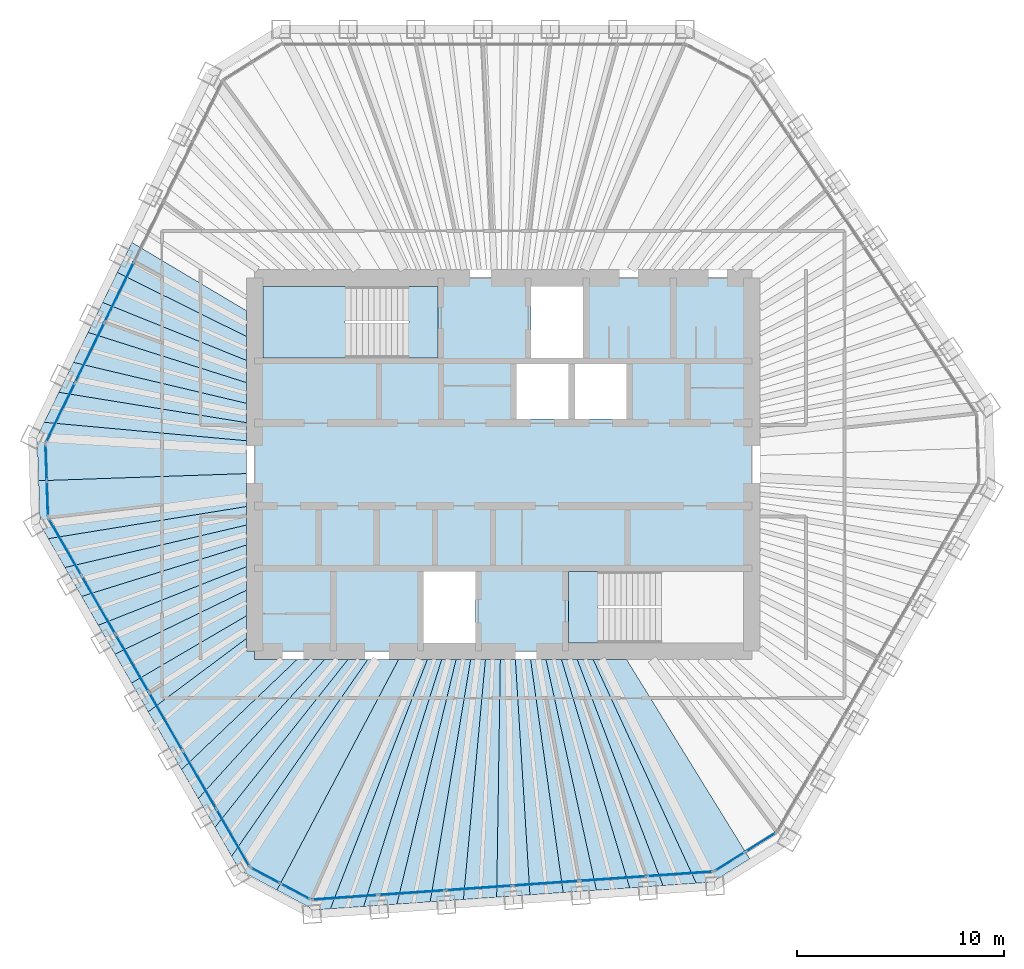
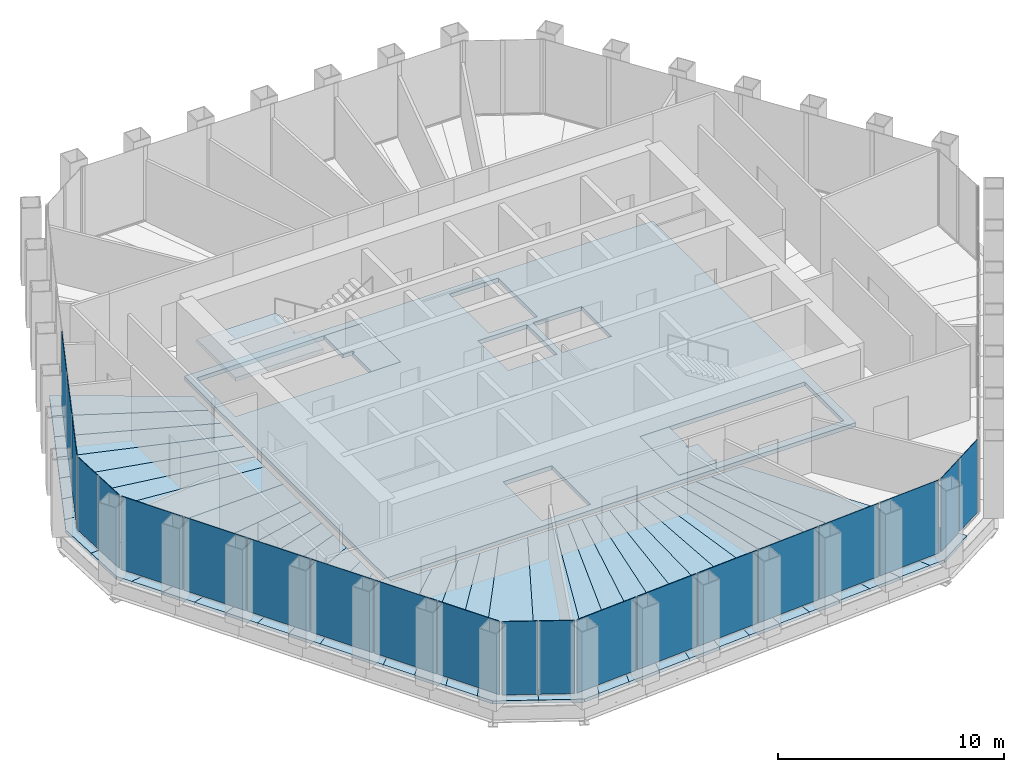
# One storey, part 9 of 15: 36 slabs, 21 plates, 8 elements without a shape of their own.
"""IFC4 building model written with IfcOpenShell, lengths in metres."""

from ifc_helpers import new_model, si_unit, direction, frame, origin, origin_2d, place, context, subcontext, project, spatial, polyline, rectangle, outline, extrude, material, layer, layer_set, type_object, element, aggregate, save


model = new_model("IFC4")

# Units and contexts
model_context = context("Model", 3, precision=1e-05, world=origin(), true_north=direction((0.0, 1.0)))
body_context = subcontext(model_context, "Body", "Model", "MODEL_VIEW")
ifc_project = project(units=[si_unit("LENGTHUNIT", "METRE"), si_unit("AREAUNIT", "SQUARE_METRE"), si_unit("VOLUMEUNIT", "CUBIC_METRE"), si_unit("PLANEANGLEUNIT", "RADIAN"), si_unit("MASSUNIT", "GRAM", prefix="KILO")], contexts=[model_context])

# Site, building, storey
site_placement = place(None, origin())
site = spatial("IfcSite", under=ifc_project, at=site_placement, CompositionType="ELEMENT")
building_placement = place(site_placement, origin())
building = spatial("IfcBuilding", under=site, at=building_placement, Name="Qingtian Harvest Tower", CompositionType="ELEMENT")
storey_placement = place(building_placement, frame((0.0, 0.0, 312.39990234375)))
storey = spatial("IfcBuildingStorey", under=building, at=storey_placement, Name="L69", CompositionType="ELEMENT", Elevation=312.39990234375)

# Slabs
ifc_material_1 = material(Name="Concrete fc' 35 MPa", Category="concrete")
ifc_layer_1 = layer(ifc_material_1, 0.169921875)
ifc_layer_set_1 = layer_set([ifc_layer_1], Name="Composite floor slab FS17 170")
slab_type_1 = type_object("IfcSlabType", Name="Composite floor slab FS17 170", PredefinedType="FLOOR", material=ifc_layer_set_1)
slab_1_placement = place(storey_placement, frame((0.0, 0.0, -0.169921875)))
element("IfcSlab", 1, at=slab_1_placement, inside=storey, type_object=slab_type_1, Name="Floor slab L69 panel D01", PredefinedType="FLOOR", context=body_context, shape_type="SweptSolid", body=[
    extrude(outline(polyline([(-22.422607421875, -0.783203125), (-12.39990234375, -0.436767578125), (-12.39990234375, -2.028564453125), (-21.95751953125, -3.578369140625), (-22.348876953125, -2.90087890625), (-22.422607421875, -0.783203125)])), origin(), (0.0, 0.0, 1.0), 0.169921875),
])
slab_2_placement = place(storey_placement, frame((0.0, 0.0, -0.169921875)))
element("IfcSlab", 2, at=slab_2_placement, inside=storey, type_object=slab_type_1, Name="Floor slab L69 panel D02", PredefinedType="FLOOR", context=body_context, shape_type="SweptSolid", body=[
    extrude(outline(polyline([(-12.39990234375, -2.923095703125), (-21.153076171875, -4.9716796875), (-21.95751953125, -3.578369140625), (-12.39990234375, -2.028564453125), (-12.39990234375, -2.923095703125)])), origin(), (0.0, 0.0, 1.0), 0.169921875),
])
slab_3_placement = place(storey_placement, frame((0.0, 0.0, -0.169921875)))
element("IfcSlab", 3, at=slab_3_placement, inside=storey, type_object=slab_type_1, Name="Floor slab L69 panel D03", PredefinedType="FLOOR", context=body_context, shape_type="SweptSolid", body=[
    extrude(outline(polyline([(-12.39990234375, -3.888427734375), (-20.3486328125, -6.365234375), (-21.153076171875, -4.9716796875), (-12.39990234375, -2.923095703125), (-12.39990234375, -3.888427734375)])), origin(), (0.0, 0.0, 1.0), 0.169921875),
])
slab_4_placement = place(storey_placement, frame((0.0, 0.0, -0.169921875)))
element("IfcSlab", 4, at=slab_4_placement, inside=storey, type_object=slab_type_1, Name="Floor slab L69 panel D04", PredefinedType="FLOOR", context=body_context, shape_type="SweptSolid", body=[
    extrude(outline(polyline([(-12.39990234375, -4.93359375), (-19.544189453125, -7.758544921875), (-20.3486328125, -6.365234375), (-12.39990234375, -3.888427734375), (-12.39990234375, -4.93359375)])), origin(), (0.0, 0.0, 1.0), 0.169921875),
])
slab_5_placement = place(storey_placement, frame((0.0, 0.0, -0.169921875)))
element("IfcSlab", 5, at=slab_5_placement, inside=storey, type_object=slab_type_1, Name="Floor slab L69 panel D05", PredefinedType="FLOOR", context=body_context, shape_type="SweptSolid", body=[
    extrude(outline(polyline([(-12.39990234375, -6.068359375), (-18.73974609375, -9.15185546875), (-19.544189453125, -7.758544921875), (-12.39990234375, -4.93359375), (-12.39990234375, -6.068359375)])), origin(), (0.0, 0.0, 1.0), 0.169921875),
])
slab_6_placement = place(storey_placement, frame((0.0, 0.0, -0.169921875)))
element("IfcSlab", 6, at=slab_6_placement, inside=storey, type_object=slab_type_1, Name="Floor slab L69 panel D06", PredefinedType="FLOOR", context=body_context, shape_type="SweptSolid", body=[
    extrude(outline(polyline([(-12.39990234375, -7.304931640625), (-17.93505859375, -10.54541015625), (-18.73974609375, -9.15185546875), (-12.39990234375, -6.068359375), (-12.39990234375, -7.304931640625)])), origin(), (0.0, 0.0, 1.0), 0.169921875),
])
slab_7_placement = place(storey_placement, frame((0.0, 0.0, -0.169921875)))
element("IfcSlab", 7, at=slab_7_placement, inside=storey, type_object=slab_type_1, Name="Floor slab L69 panel D07", PredefinedType="FLOOR", context=body_context, shape_type="SweptSolid", body=[
    extrude(outline(polyline([(-12.39990234375, -8.400390625), (-17.134033203125, -11.932861328125), (-17.93505859375, -10.54541015625), (-12.39990234375, -7.304931640625), (-12.39990234375, -8.400390625)])), origin(), (0.0, 0.0, 1.0), 0.169921875),
])
slab_8_placement = place(storey_placement, frame((0.0, 0.0, -0.169921875)))
element("IfcSlab", 8, at=slab_8_placement, inside=storey, type_object=slab_type_1, Name="Floor slab L69 panel D09", PredefinedType="FLOOR", context=body_context, shape_type="SweptSolid", body=[
    extrude(outline(polyline([(-15.522216796875, -14.724609375), (-17.134033203125, -11.932861328125), (-12.39990234375, -8.400390625), (-12.39990234375, -9.0), (-12.0, -9.0), (-12.0, -9.39990234375), (-9.943115234375, -9.39990234375), (-15.522216796875, -14.724609375)])), origin(), (0.0, 0.0, 1.0), 0.169921875),
])
slab_9_placement = place(storey_placement, frame((0.0, 0.0, -0.169921875)))
element("IfcSlab", 9, at=slab_9_placement, inside=storey, type_object=slab_type_1, Name="Floor slab L69 panel D10", PredefinedType="FLOOR", context=body_context, shape_type="SweptSolid", body=[
    extrude(outline(polyline([(-8.609130859375, -9.39990234375), (-14.7177734375, -16.1181640625), (-15.522216796875, -14.724609375), (-9.943115234375, -9.39990234375), (-8.609130859375, -9.39990234375)])), origin(), (0.0, 0.0, 1.0), 0.169921875),
])
slab_10_placement = place(storey_placement, frame((0.0, 0.0, -0.169921875)))
element("IfcSlab", 10, at=slab_10_placement, inside=storey, type_object=slab_type_1, Name="Floor slab L69 panel D11", PredefinedType="FLOOR", context=body_context, shape_type="SweptSolid", body=[
    extrude(outline(polyline([(-7.488525390625, -9.39990234375), (-13.9130859375, -17.51171875), (-14.7177734375, -16.1181640625), (-8.609130859375, -9.39990234375), (-7.488525390625, -9.39990234375)])), origin(), (0.0, 0.0, 1.0), 0.169921875),
])
slab_11_placement = place(storey_placement, frame((0.0, 0.0, -0.169921875)))
element("IfcSlab", 11, at=slab_11_placement, inside=storey, type_object=slab_type_1, Name="Floor slab L69 panel D12", PredefinedType="FLOOR", context=body_context, shape_type="SweptSolid", body=[
    extrude(outline(polyline([(-6.533935546875, -9.39990234375), (-13.108642578125, -18.905029296875), (-13.9130859375, -17.51171875), (-7.488525390625, -9.39990234375), (-6.533935546875, -9.39990234375)])), origin(), (0.0, 0.0, 1.0), 0.169921875),
])
slab_12_placement = place(storey_placement, frame((0.0, 0.0, -0.169921875)))
element("IfcSlab", 12, at=slab_12_placement, inside=storey, type_object=slab_type_1, Name="Floor slab L69 panel D13", PredefinedType="FLOOR", context=body_context, shape_type="SweptSolid", body=[
    extrude(outline(polyline([(-6.533935546875, -9.39990234375), (-5.04638671875, -9.39990234375), (-10.921142578125, -20.537841796875), (-12.717529296875, -19.582763671875), (-13.108642578125, -18.905029296875), (-6.533935546875, -9.39990234375)])), origin(), (0.0, 0.0, 1.0), 0.169921875),
])
slab_13_placement = place(storey_placement, frame((0.0, 0.0, -0.169921875)))
element("IfcSlab", 13, at=slab_13_placement, inside=storey, type_object=slab_type_1, Name="Floor slab L69 panel D14", PredefinedType="FLOOR", context=body_context, shape_type="SweptSolid", body=[
    extrude(outline(polyline([(-5.04638671875, -9.39990234375), (-3.656982421875, -9.39990234375), (-8.343017578125, -21.439208984375), (-9.123291015625, -21.49365234375), (-10.921142578125, -20.537841796875), (-5.04638671875, -9.39990234375)])), origin(), (0.0, 0.0, 1.0), 0.169921875),
])
slab_14_placement = place(storey_placement, frame((0.0, 0.0, -0.169921875)))
element("IfcSlab", 14, at=slab_14_placement, inside=storey, type_object=slab_type_1, Name="Floor slab L69 panel D15", PredefinedType="FLOOR", context=body_context, shape_type="SweptSolid", body=[
    extrude(outline(polyline([(-2.968994140625, -9.39990234375), (-6.738037109375, -21.326904296875), (-8.343017578125, -21.439208984375), (-3.656982421875, -9.39990234375), (-2.968994140625, -9.39990234375)])), origin(), (0.0, 0.0, 1.0), 0.169921875),
])
slab_15_placement = place(storey_placement, frame((0.0, 0.0, -0.169921875)))
element("IfcSlab", 15, at=slab_15_placement, inside=storey, type_object=slab_type_1, Name="Floor slab L69 panel D16", PredefinedType="FLOOR", context=body_context, shape_type="SweptSolid", body=[
    extrude(outline(polyline([(-2.2734375, -9.39990234375), (-5.133056640625, -21.21484375), (-6.738037109375, -21.326904296875), (-2.968994140625, -9.39990234375), (-2.2734375, -9.39990234375)])), origin(), (0.0, 0.0, 1.0), 0.169921875),
])
slab_16_placement = place(storey_placement, frame((0.0, 0.0, -0.169921875)))
element("IfcSlab", 16, at=slab_16_placement, inside=storey, type_object=slab_type_1, Name="Floor slab L69 panel D17", PredefinedType="FLOOR", context=body_context, shape_type="SweptSolid", body=[
    extrude(outline(polyline([(-1.570556640625, -9.39990234375), (-3.528076171875, -21.1025390625), (-5.133056640625, -21.21484375), (-2.2734375, -9.39990234375), (-1.570556640625, -9.39990234375)])), origin(), (0.0, 0.0, 1.0), 0.169921875),
])
slab_17_placement = place(storey_placement, frame((0.0, 0.0, -0.169921875)))
element("IfcSlab", 17, at=slab_17_placement, inside=storey, type_object=slab_type_1, Name="Floor slab L69 panel D18", PredefinedType="FLOOR", context=body_context, shape_type="SweptSolid", body=[
    extrude(outline(polyline([(-0.860107421875, -9.39990234375), (-1.9228515625, -20.990234375), (-3.528076171875, -21.1025390625), (-1.570556640625, -9.39990234375), (-0.860107421875, -9.39990234375)])), origin(), (0.0, 0.0, 1.0), 0.169921875),
])
slab_18_placement = place(storey_placement, frame((0.0, 0.0, -0.169921875)))
element("IfcSlab", 18, at=slab_18_placement, inside=storey, type_object=slab_type_1, Name="Floor slab L69 panel D19", PredefinedType="FLOOR", context=body_context, shape_type="SweptSolid", body=[
    extrude(outline(polyline([(-0.14208984375, -9.39990234375), (-0.31787109375, -20.8779296875), (-1.9228515625, -20.990234375), (-0.860107421875, -9.39990234375), (-0.14208984375, -9.39990234375)])), origin(), (0.0, 0.0, 1.0), 0.169921875),
])
slab_19_placement = place(storey_placement, frame((0.0, 0.0, -0.169921875)))
element("IfcSlab", 19, at=slab_19_placement, inside=storey, type_object=slab_type_1, Name="Floor slab L69 panel D20", PredefinedType="FLOOR", context=body_context, shape_type="SweptSolid", body=[
    extrude(outline(polyline([(0.58349609375, -9.39990234375), (1.287109375, -20.765869140625), (-0.31787109375, -20.8779296875), (-0.14208984375, -9.39990234375), (0.58349609375, -9.39990234375)])), origin(), (0.0, 0.0, 1.0), 0.169921875),
])
slab_20_placement = place(storey_placement, frame((0.0, 0.0, -0.169921875)))
element("IfcSlab", 20, at=slab_20_placement, inside=storey, type_object=slab_type_1, Name="Floor slab L69 panel D21", PredefinedType="FLOOR", context=body_context, shape_type="SweptSolid", body=[
    extrude(outline(polyline([(1.3173828125, -9.39990234375), (2.89208984375, -20.653564453125), (1.287109375, -20.765869140625), (0.58349609375, -9.39990234375), (1.3173828125, -9.39990234375)])), origin(), (0.0, 0.0, 1.0), 0.169921875),
])
slab_21_placement = place(storey_placement, frame((0.0, 0.0, -0.169921875)))
element("IfcSlab", 21, at=slab_21_placement, inside=storey, type_object=slab_type_1, Name="Floor slab L69 panel D22", PredefinedType="FLOOR", context=body_context, shape_type="SweptSolid", body=[
    extrude(outline(polyline([(2.058837890625, -9.39990234375), (4.4970703125, -20.541259765625), (2.89208984375, -20.653564453125), (1.3173828125, -9.39990234375), (2.058837890625, -9.39990234375)])), origin(), (0.0, 0.0, 1.0), 0.169921875),
])
slab_22_placement = place(storey_placement, frame((0.0, 0.0, -0.169921875)))
element("IfcSlab", 22, at=slab_22_placement, inside=storey, type_object=slab_type_1, Name="Floor slab L69 panel D23", PredefinedType="FLOOR", context=body_context, shape_type="SweptSolid", body=[
    extrude(outline(polyline([(2.808837890625, -9.39990234375), (6.10205078125, -20.42919921875), (4.4970703125, -20.541259765625), (2.058837890625, -9.39990234375), (2.808837890625, -9.39990234375)])), origin(), (0.0, 0.0, 1.0), 0.169921875),
])
slab_23_placement = place(storey_placement, frame((0.0, 0.0, -0.169921875)))
element("IfcSlab", 23, at=slab_23_placement, inside=storey, type_object=slab_type_1, Name="Floor slab L69 panel D24", PredefinedType="FLOOR", context=body_context, shape_type="SweptSolid", body=[
    extrude(outline(polyline([(3.56689453125, -9.39990234375), (7.70703125, -20.31689453125), (6.10205078125, -20.42919921875), (2.808837890625, -9.39990234375), (3.56689453125, -9.39990234375)])), origin(), (0.0, 0.0, 1.0), 0.169921875),
])
slab_24_placement = place(storey_placement, frame((0.0, 0.0, -0.169921875)))
element("IfcSlab", 24, at=slab_24_placement, inside=storey, type_object=slab_type_1, Name="Floor slab L69 panel D25", PredefinedType="FLOOR", context=body_context, shape_type="SweptSolid", body=[
    extrude(outline(polyline([(4.33349609375, -9.39990234375), (9.312255859375, -20.20458984375), (7.70703125, -20.31689453125), (3.56689453125, -9.39990234375), (4.33349609375, -9.39990234375)])), origin(), (0.0, 0.0, 1.0), 0.169921875),
])
slab_25_placement = place(storey_placement, frame((0.0, 0.0, -0.169921875)))
element("IfcSlab", 25, at=slab_25_placement, inside=storey, type_object=slab_type_1, Name="Floor slab L69 panel D26", PredefinedType="FLOOR", context=body_context, shape_type="SweptSolid", body=[
    extrude(outline(polyline([(4.33349609375, -9.39990234375), (5.945556640625, -9.39990234375), (11.890380859375, -19.026611328125), (10.09228515625, -20.150146484375), (9.312255859375, -20.20458984375), (4.33349609375, -9.39990234375)])), origin(), (0.0, 0.0, 1.0), 0.169921875),
])
slab_26_placement = place(storey_placement, frame((0.0, 0.0, -0.169921875)))
element("IfcSlab", 26, at=slab_26_placement, inside=storey, type_object=slab_type_1, Name="Floor slab L69 panel D72", PredefinedType="FLOOR", context=body_context, shape_type="SweptSolid", body=[
    extrude(outline(polyline([(-12.39990234375, 6.18115234375), (-18.627197265625, 9.2685546875), (-17.921875, 10.714599609375), (-12.39990234375, 7.42578125), (-12.39990234375, 6.18115234375)])), origin(), (0.0, 0.0, 1.0), 0.169921875),
])
slab_27_placement = place(storey_placement, frame((0.0, 0.0, -0.169921875)))
element("IfcSlab", 27, at=slab_27_placement, inside=storey, type_object=slab_type_1, Name="Floor slab L69 panel D73", PredefinedType="FLOOR", context=body_context, shape_type="SweptSolid", body=[
    extrude(outline(polyline([(-12.39990234375, 5.02734375), (-19.33251953125, 7.822509765625), (-18.627197265625, 9.2685546875), (-12.39990234375, 6.18115234375), (-12.39990234375, 5.02734375)])), origin(), (0.0, 0.0, 1.0), 0.169921875),
])
slab_28_placement = place(storey_placement, frame((0.0, 0.0, -0.169921875)))
element("IfcSlab", 28, at=slab_28_placement, inside=storey, type_object=slab_type_1, Name="Floor slab L69 panel D74", PredefinedType="FLOOR", context=body_context, shape_type="SweptSolid", body=[
    extrude(outline(polyline([(-12.39990234375, 3.954833984375), (-20.037841796875, 6.376220703125), (-19.33251953125, 7.822509765625), (-12.39990234375, 5.02734375), (-12.39990234375, 3.954833984375)])), origin(), (0.0, 0.0, 1.0), 0.169921875),
])
slab_29_placement = place(storey_placement, frame((0.0, 0.0, -0.169921875)))
element("IfcSlab", 29, at=slab_29_placement, inside=storey, type_object=slab_type_1, Name="Floor slab L69 panel D75", PredefinedType="FLOOR", context=body_context, shape_type="SweptSolid", body=[
    extrude(outline(polyline([(-12.39990234375, 2.955322265625), (-20.7431640625, 4.93017578125), (-20.037841796875, 6.376220703125), (-12.39990234375, 3.954833984375), (-12.39990234375, 2.955322265625)])), origin(), (0.0, 0.0, 1.0), 0.169921875),
])
slab_30_placement = place(storey_placement, frame((0.0, 0.0, -0.169921875)))
element("IfcSlab", 30, at=slab_30_placement, inside=storey, type_object=slab_type_1, Name="Floor slab L69 panel D76", PredefinedType="FLOOR", context=body_context, shape_type="SweptSolid", body=[
    extrude(outline(polyline([(-12.39990234375, 2.021484375), (-21.448486328125, 3.484130859375), (-20.7431640625, 4.93017578125), (-12.39990234375, 2.955322265625), (-12.39990234375, 2.021484375)])), origin(), (0.0, 0.0, 1.0), 0.169921875),
])
slab_31_placement = place(storey_placement, frame((0.0, 0.0, -0.169921875)))
element("IfcSlab", 31, at=slab_31_placement, inside=storey, type_object=slab_type_1, Name="Floor slab L69 panel D77", PredefinedType="FLOOR", context=body_context, shape_type="SweptSolid", body=[
    extrude(outline(polyline([(-12.39990234375, 1.147216796875), (-22.15380859375, 2.037841796875), (-21.448486328125, 3.484130859375), (-12.39990234375, 2.021484375), (-12.39990234375, 1.147216796875)])), origin(), (0.0, 0.0, 1.0), 0.169921875),
])
slab_32_placement = place(storey_placement, frame((0.0, 0.0, -0.169921875)))
element("IfcSlab", 32, at=slab_32_placement, inside=storey, type_object=slab_type_1, Name="Floor slab L69 panel D78", PredefinedType="FLOOR", context=body_context, shape_type="SweptSolid", body=[
    extrude(outline(polyline([(-12.39990234375, 1.147216796875), (-12.39990234375, -0.436767578125), (-22.422607421875, -0.783203125), (-22.49658203125, 1.334716796875), (-22.15380859375, 2.037841796875), (-12.39990234375, 1.147216796875)])), origin(), (0.0, 0.0, 1.0), 0.169921875),
])
ifc_material_2 = material(Name="Concrete fc' 35 MPa", Category="concrete")
ifc_layer_2 = layer(ifc_material_2, 0.219970703125)
ifc_layer_set_2 = layer_set([ifc_layer_2], Name="Core floor slab CS22 220")
slab_type_2 = type_object("IfcSlabType", Name="Core floor slab CS22 220", PredefinedType="FLOOR", material=ifc_layer_set_2)
slab_33_placement = place(storey_placement, frame((0.0, 0.0, -0.219970703125)))
element("IfcSlab", 33, at=slab_33_placement, inside=storey, type_object=slab_type_2, Name="Core floor slab L69", PredefinedType="FLOOR", context=body_context, shape_type="SweptSolid", body=[
    extrude(outline(polyline([(-12.0, -9.0), (12.0, -9.0), (12.0, 9.0), (-12.0, 9.0), (-12.0, -9.0)]), holes=[polyline([(-11.60009765625, 5.14990234375), (-3.14990234375, 5.14990234375), (-3.14990234375, 8.60009765625), (-11.60009765625, 8.60009765625), (-11.60009765625, 5.14990234375)]), polyline([(3.14990234375, -8.60009765625), (11.60009765625, -8.60009765625), (11.60009765625, -5.14990234375), (3.14990234375, -5.14990234375), (3.14990234375, -8.60009765625)]), polyline([(1.35009765625, 5.14990234375), (3.85009765625, 5.14990234375), (3.85009765625, 8.60009765625), (1.35009765625, 8.60009765625), (1.35009765625, 5.14990234375)]), polyline([(-3.85009765625, -8.60009765625), (-1.35009765625, -8.60009765625), (-1.35009765625, -5.14990234375), (-3.85009765625, -5.14990234375), (-3.85009765625, -8.60009765625)]), polyline([(0.64990234375, 2.199951171875), (3.14990234375, 2.199951171875), (3.14990234375, 4.85009765625), (0.64990234375, 4.85009765625), (0.64990234375, 2.199951171875)]), polyline([(3.449951171875, 2.199951171875), (5.949951171875, 2.199951171875), (5.949951171875, 4.85009765625), (3.449951171875, 4.85009765625), (3.449951171875, 2.199951171875)])]), origin(), (0.0, 0.0, 1.0), 0.219970703125),
])

# Curtain wall, plates
ifc_material_3 = material(Name="Bronze-anodised aluminium curtain wall", Category="aluminium")
curtain_wall_type = type_object("IfcCurtainWallType", Name="Curtain wall CW5 upper office", PredefinedType="USERDEFINED", material=ifc_material_3)
curtain_wall_1_placement = place(storey_placement, origin())
curtain_wall_1 = element("IfcCurtainWall", 34, at=curtain_wall_1_placement, inside=storey, type_object=curtain_wall_type, Name="Curtain wall CW5 L69 SEC", ObjectType="RECESSED CURTAIN WALL", PredefinedType="USERDEFINED")
ifc_material_4 = material(Name="Bronze-tinted laminated insulating glass", Category="glass")
ifc_layer_3 = layer(ifc_material_4, 0.030029296875)
ifc_layer_set_3 = layer_set([ifc_layer_3], Name="Glazed panel CWP tinted IGU")
plate_type = type_object("IfcPlateType", Name="Glazed panel CWP tinted IGU", PredefinedType="CURTAIN_PANEL", material=ifc_layer_set_3)
plate_1_placement = place(storey_placement, frame((12.42431640625, -18.224609375, 0.06494140625), z_axis=(0.0, 0.0, 1.0), x_axis=(-0.848048096156, -0.529919264233, 0.0)))
plate_1 = element("IfcPlate", 35, at=plate_1_placement, type_object=plate_type, Name="CW5 panel 1.1", PredefinedType="CURTAIN_PANEL", context=body_context, shape_type="SweptSolid", body=[
    extrude(rectangle(XDim=1.69287109375, YDim=0.030029296875, at=origin_2d()), origin(), (0.0, 0.0, 1.0), 3.965087890625),
])
plate_2_placement = place(storey_placement, frame((10.93359375, -19.156005859375, 0.06494140625), z_axis=(0.0, 0.0, 1.0), x_axis=(-0.848048096156, -0.529919264233, 0.0)))
plate_2 = element("IfcPlate", 36, at=plate_2_placement, type_object=plate_type, Name="CW5 panel 2.1", PredefinedType="CURTAIN_PANEL", context=body_context, shape_type="SweptSolid", body=[
    extrude(rectangle(XDim=1.69287109375, YDim=0.030029296875, at=origin_2d()), origin(), (0.0, 0.0, 1.0), 3.965087890625),
])
aggregate(curtain_wall_1, [plate_1, plate_2])

curtain_wall_2_placement = place(storey_placement, origin())
curtain_wall_2 = element("IfcCurtainWall", 37, at=curtain_wall_2_placement, inside=storey, type_object=curtain_wall_type, Name="Curtain wall CW5 L69 S0-5", ObjectType="RECESSED CURTAIN WALL", PredefinedType="USERDEFINED")
plate_3_placement = place(storey_placement, frame((8.5244140625, -19.75341796875, 0.06494140625), z_axis=(0.0, 0.0, 1.0), x_axis=(-0.99756405026, -0.069756473744, 0.0)))
plate_3 = element("IfcPlate", 38, at=plate_3_placement, type_object=plate_type, Name="CW5 panel 1.1", PredefinedType="CURTAIN_PANEL", context=body_context, shape_type="SweptSolid", body=[
    extrude(rectangle(XDim=3.150634765625, YDim=0.030029296875, at=origin_2d()), origin(), (0.0, 0.0, 1.0), 3.965087890625),
])
plate_4_placement = place(storey_placement, frame((5.300537109375, -19.97900390625, 0.06494140625), z_axis=(0.0, 0.0, 1.0), x_axis=(-0.99756405026, -0.069756473744, 0.0)))
plate_4 = element("IfcPlate", 39, at=plate_4_placement, type_object=plate_type, Name="CW5 panel 2.1", PredefinedType="CURTAIN_PANEL", context=body_context, shape_type="SweptSolid", body=[
    extrude(rectangle(XDim=3.18310546875, YDim=0.030029296875, at=origin_2d()), origin(), (0.0, 0.0, 1.0), 3.965087890625),
])
plate_5_placement = place(storey_placement, frame((2.060302734375, -20.20556640625, 0.06494140625), z_axis=(0.0, 0.0, 1.0), x_axis=(-0.99756405026, -0.069756473744, 0.0)))
plate_5 = element("IfcPlate", 40, at=plate_5_placement, type_object=plate_type, Name="CW5 panel 3.1", PredefinedType="CURTAIN_PANEL", context=body_context, shape_type="SweptSolid", body=[
    extrude(rectangle(XDim=3.18310546875, YDim=0.030029296875, at=origin_2d()), origin(), (0.0, 0.0, 1.0), 3.965087890625),
])
plate_6_placement = place(storey_placement, frame((-1.1796875, -20.43212890625, 0.06494140625), z_axis=(0.0, 0.0, 1.0), x_axis=(-0.99756405026, -0.069756473744, 0.0)))
plate_6 = element("IfcPlate", 41, at=plate_6_placement, type_object=plate_type, Name="CW5 panel 4.1", PredefinedType="CURTAIN_PANEL", context=body_context, shape_type="SweptSolid", body=[
    extrude(rectangle(XDim=3.18310546875, YDim=0.030029296875, at=origin_2d()), origin(), (0.0, 0.0, 1.0), 3.965087890625),
])
plate_7_placement = place(storey_placement, frame((-4.419921875, -20.65869140625, 0.06494140625), z_axis=(0.0, 0.0, 1.0), x_axis=(-0.99756405026, -0.069756473744, 0.0)))
plate_7 = element("IfcPlate", 42, at=plate_7_placement, type_object=plate_type, Name="CW5 panel 5.1", PredefinedType="CURTAIN_PANEL", context=body_context, shape_type="SweptSolid", body=[
    extrude(rectangle(XDim=3.18310546875, YDim=0.030029296875, at=origin_2d()), origin(), (0.0, 0.0, 1.0), 3.965087890625),
])
plate_8_placement = place(storey_placement, frame((-7.643798828125, -20.884033203125, 0.06494140625), z_axis=(0.0, 0.0, 1.0), x_axis=(-0.99756405026, -0.069756473744, 0.0)))
plate_8 = element("IfcPlate", 43, at=plate_8_placement, type_object=plate_type, Name="CW5 panel 6.1", PredefinedType="CURTAIN_PANEL", context=body_context, shape_type="SweptSolid", body=[
    extrude(rectangle(XDim=3.150634765625, YDim=0.030029296875, at=origin_2d()), origin(), (0.0, 0.0, 1.0), 3.965087890625),
])
aggregate(curtain_wall_2, [plate_3, plate_4, plate_5, plate_6, plate_7, plate_8])

curtain_wall_3_placement = place(storey_placement, origin())
curtain_wall_3 = element("IfcCurtainWall", 44, at=curtain_wall_3_placement, inside=storey, type_object=curtain_wall_type, Name="Curtain wall CW5 L69 SC", ObjectType="RECESSED CURTAIN WALL", PredefinedType="USERDEFINED")
plate_9_placement = place(storey_placement, frame((-10.029296875, -20.60009765625, 0.06494140625), z_axis=(0.0, 0.0, 1.0), x_axis=(-0.882947592859, 0.469471562786, 0.0)))
plate_9 = element("IfcPlate", 45, at=plate_9_placement, type_object=plate_type, Name="CW5 panel 1.1", PredefinedType="CURTAIN_PANEL", context=body_context, shape_type="SweptSolid", body=[
    extrude(rectangle(XDim=1.56689453125, YDim=0.030029296875, at=origin_2d()), origin(), (0.0, 0.0, 1.0), 3.965087890625),
])
plate_10_placement = place(storey_placement, frame((-11.469970703125, -19.833984375, 0.06494140625), z_axis=(0.0, 0.0, 1.0), x_axis=(-0.882947592859, 0.469471562786, 0.0)))
plate_10 = element("IfcPlate", 46, at=plate_10_placement, type_object=plate_type, Name="CW5 panel 2.1", PredefinedType="CURTAIN_PANEL", context=body_context, shape_type="SweptSolid", body=[
    extrude(rectangle(XDim=1.56689453125, YDim=0.030029296875, at=origin_2d()), origin(), (0.0, 0.0, 1.0), 3.965087890625),
])
aggregate(curtain_wall_3, [plate_9, plate_10])

curtain_wall_4_placement = place(storey_placement, origin())
curtain_wall_4 = element("IfcCurtainWall", 47, at=curtain_wall_4_placement, inside=storey, type_object=curtain_wall_type, Name="Curtain wall CW5 L69 SW0-5", ObjectType="RECESSED CURTAIN WALL", PredefinedType="USERDEFINED")
plate_11_placement = place(storey_placement, frame((-13.039306640625, -18.01513671875, 0.06494140625), z_axis=(0.0, 0.0, 1.0), x_axis=(-0.5, 0.866025403784, 0.0)))
plate_11 = element("IfcPlate", 48, at=plate_11_placement, type_object=plate_type, Name="CW5 panel 1.1", PredefinedType="CURTAIN_PANEL", context=body_context, shape_type="SweptSolid", body=[
    extrude(rectangle(XDim=3.150634765625, YDim=0.030029296875, at=origin_2d()), origin(), (0.0, 0.0, 1.0), 3.965087890625),
])
plate_12_placement = place(storey_placement, frame((-14.6552734375, -15.216552734375, 0.06494140625), z_axis=(0.0, 0.0, 1.0), x_axis=(-0.5, 0.866025403784, 0.0)))
plate_12 = element("IfcPlate", 49, at=plate_12_placement, type_object=plate_type, Name="CW5 panel 2.1", PredefinedType="CURTAIN_PANEL", context=body_context, shape_type="SweptSolid", body=[
    extrude(rectangle(XDim=3.18310546875, YDim=0.030029296875, at=origin_2d()), origin(), (0.0, 0.0, 1.0), 3.965087890625),
])
plate_13_placement = place(storey_placement, frame((-16.279296875, -12.403564453125, 0.06494140625), z_axis=(0.0, 0.0, 1.0), x_axis=(-0.5, 0.866025403784, 0.0)))
plate_13 = element("IfcPlate", 50, at=plate_13_placement, type_object=plate_type, Name="CW5 panel 3.1", PredefinedType="CURTAIN_PANEL", context=body_context, shape_type="SweptSolid", body=[
    extrude(rectangle(XDim=3.18310546875, YDim=0.030029296875, at=origin_2d()), origin(), (0.0, 0.0, 1.0), 3.965087890625),
])
plate_14_placement = place(storey_placement, frame((-17.9033203125, -9.590576171875, 0.06494140625), z_axis=(0.0, 0.0, 1.0), x_axis=(-0.5, 0.866025403784, 0.0)))
plate_14 = element("IfcPlate", 51, at=plate_14_placement, type_object=plate_type, Name="CW5 panel 4.1", PredefinedType="CURTAIN_PANEL", context=body_context, shape_type="SweptSolid", body=[
    extrude(rectangle(XDim=3.18310546875, YDim=0.030029296875, at=origin_2d()), origin(), (0.0, 0.0, 1.0), 3.965087890625),
])
plate_15_placement = place(storey_placement, frame((-19.52734375, -6.77783203125, 0.06494140625), z_axis=(0.0, 0.0, 1.0), x_axis=(-0.5, 0.866025403784, 0.0)))
plate_15 = element("IfcPlate", 52, at=plate_15_placement, type_object=plate_type, Name="CW5 panel 5.1", PredefinedType="CURTAIN_PANEL", context=body_context, shape_type="SweptSolid", body=[
    extrude(rectangle(XDim=3.18310546875, YDim=0.030029296875, at=origin_2d()), origin(), (0.0, 0.0, 1.0), 3.965087890625),
])
plate_16_placement = place(storey_placement, frame((-21.14306640625, -3.97900390625, 0.06494140625), z_axis=(0.0, 0.0, 1.0), x_axis=(-0.5, 0.866025403784, 0.0)))
plate_16 = element("IfcPlate", 53, at=plate_16_placement, type_object=plate_type, Name="CW5 panel 6.1", PredefinedType="CURTAIN_PANEL", context=body_context, shape_type="SweptSolid", body=[
    extrude(rectangle(XDim=3.150634765625, YDim=0.030029296875, at=origin_2d()), origin(), (0.0, 0.0, 1.0), 3.965087890625),
])
aggregate(curtain_wall_4, [plate_11, plate_12, plate_13, plate_14, plate_15, plate_16])

curtain_wall_5_placement = place(storey_placement, origin())
curtain_wall_5 = element("IfcCurtainWall", 54, at=curtain_wall_5_placement, inside=storey, type_object=curtain_wall_type, Name="Curtain wall CW5 L69 SWC", ObjectType="RECESSED CURTAIN WALL", PredefinedType="USERDEFINED")
plate_17_placement = place(storey_placement, frame((-21.9951171875, -1.647705078125, 0.06494140625), z_axis=(0.0, 0.0, 1.0), x_axis=(-0.034899496703, 0.999390827019, 0.0)))
plate_17 = element("IfcPlate", 55, at=plate_17_placement, type_object=plate_type, Name="CW5 panel 1.1", PredefinedType="CURTAIN_PANEL", context=body_context, shape_type="SweptSolid", body=[
    extrude(rectangle(XDim=1.69287109375, YDim=0.030029296875, at=origin_2d()), origin(), (0.0, 0.0, 1.0), 3.965087890625),
])
plate_18_placement = place(storey_placement, frame((-22.056396484375, 0.109375, 0.06494140625), z_axis=(0.0, 0.0, 1.0), x_axis=(-0.034899496703, 0.999390827019, 0.0)))
plate_18 = element("IfcPlate", 56, at=plate_18_placement, type_object=plate_type, Name="CW5 panel 2.1", PredefinedType="CURTAIN_PANEL", context=body_context, shape_type="SweptSolid", body=[
    extrude(rectangle(XDim=1.69287109375, YDim=0.030029296875, at=origin_2d()), origin(), (0.0, 0.0, 1.0), 3.965087890625),
])
aggregate(curtain_wall_5, [plate_17, plate_18])

curtain_wall_6_placement = place(storey_placement, origin())
curtain_wall_6 = element("IfcCurtainWall", 57, at=curtain_wall_6_placement, inside=storey, type_object=curtain_wall_type, Name="Curtain wall CW5 L69 NW0-5", ObjectType="RECESSED CURTAIN WALL", PredefinedType="USERDEFINED")
plate_19_placement = place(storey_placement, frame((-21.369140625, 2.494384765625, 0.06494140625), z_axis=(0.0, 0.0, 1.0), x_axis=(0.438371146789, 0.898794046299, 0.0)))
plate_19 = element("IfcPlate", 58, at=plate_19_placement, type_object=plate_type, Name="CW5 panel 1.1", PredefinedType="CURTAIN_PANEL", context=body_context, shape_type="SweptSolid", body=[
    extrude(rectangle(XDim=3.150634765625, YDim=0.030029296875, at=origin_2d()), origin(), (0.0, 0.0, 1.0), 3.965087890625),
])
plate_20_placement = place(storey_placement, frame((-19.952392578125, 5.399169921875, 0.06494140625), z_axis=(0.0, 0.0, 1.0), x_axis=(0.438371146789, 0.898794046299, 0.0)))
plate_20 = element("IfcPlate", 59, at=plate_20_placement, type_object=plate_type, Name="CW5 panel 2.1", PredefinedType="CURTAIN_PANEL", context=body_context, shape_type="SweptSolid", body=[
    extrude(rectangle(XDim=3.18310546875, YDim=0.030029296875, at=origin_2d()), origin(), (0.0, 0.0, 1.0), 3.965087890625),
])
plate_21_placement = place(storey_placement, frame((-18.528564453125, 8.318359375, 0.06494140625), z_axis=(0.0, 0.0, 1.0), x_axis=(0.438371146789, 0.898794046299, 0.0)))
plate_21 = element("IfcPlate", 60, at=plate_21_placement, type_object=plate_type, Name="CW5 panel 3.1", PredefinedType="CURTAIN_PANEL", context=body_context, shape_type="SweptSolid", body=[
    extrude(rectangle(XDim=3.18310546875, YDim=0.030029296875, at=origin_2d()), origin(), (0.0, 0.0, 1.0), 3.965087890625),
])
aggregate(curtain_wall_6, [plate_19, plate_20, plate_21])

# Stair, slabs
ifc_material_5 = material(Name="Concrete fc' 35 MPa", Category="concrete")
stair_type = type_object("IfcStairType", Name="Special stair ST7 4200", PredefinedType="HALF_TURN_STAIR", material=ifc_material_5)
stair_1_placement = place(storey_placement, origin())
stair_1 = element("IfcStair", 61, at=stair_1_placement, inside=storey, type_object=stair_type, Name="Special stair S1 L69", PredefinedType="HALF_TURN_STAIR")
ifc_material_6 = material(Name="Concrete fc' 35 MPa", Category="concrete")
ifc_layer_4 = layer(ifc_material_6, 0.199951171875)
ifc_layer_set_4 = layer_set([ifc_layer_4], Name="Stair landing SL2 200")
slab_type_3 = type_object("IfcSlabType", Name="Stair landing SL2 200", PredefinedType="LANDING", material=ifc_layer_set_4)
slab_34_placement = place(storey_placement, frame((0.0, 0.0, -0.199951171875)))
slab_34 = element("IfcSlab", 62, at=slab_34_placement, type_object=slab_type_3, Name="S1 landing 1", PredefinedType="LANDING", context=body_context, shape_type="SweptSolid", body=[
    extrude(outline(polyline([(-4.64990234375, 5.14990234375), (-4.64990234375, 6.824951171875), (-4.550048828125, 6.824951171875), (-4.550048828125, 6.925048828125), (-5.0849609375, 6.925048828125), (-5.0849609375, 8.60009765625), (-3.14990234375, 8.60009765625), (-3.14990234375, 5.14990234375), (-4.64990234375, 5.14990234375)])), origin(), (0.0, 0.0, 1.0), 0.199951171875),
])
slab_35_placement = place(storey_placement, frame((0.0, 0.0, 1.900146484375)))
slab_35 = element("IfcSlab", 63, at=slab_35_placement, type_object=slab_type_3, Name="S1 landing 2", PredefinedType="LANDING", context=body_context, shape_type="SweptSolid", body=[
    extrude(outline(polyline([(-7.094970703125, 5.14990234375), (-11.60009765625, 5.14990234375), (-11.60009765625, 8.60009765625), (-7.530029296875, 8.60009765625), (-7.530029296875, 6.925048828125), (-7.6298828125, 6.925048828125), (-7.6298828125, 6.824951171875), (-7.094970703125, 6.824951171875), (-7.094970703125, 5.14990234375)])), origin(), (0.0, 0.0, 1.0), 0.199951171875),
])
aggregate(stair_1, [slab_34, slab_35])

# Stair, slab
stair_2_placement = place(storey_placement, origin())
stair_2 = element("IfcStair", 64, at=stair_2_placement, inside=storey, type_object=stair_type, Name="Special stair S2 L69", PredefinedType="HALF_TURN_STAIR")
slab_36_placement = place(storey_placement, frame((0.0, 0.0, -0.199951171875)))
slab_36 = element("IfcSlab", 65, at=slab_36_placement, type_object=slab_type_3, Name="S2 landing 1", PredefinedType="LANDING", context=body_context, shape_type="SweptSolid", body=[
    extrude(outline(polyline([(5.0849609375, -8.60009765625), (3.14990234375, -8.60009765625), (3.14990234375, -5.14990234375), (4.64990234375, -5.14990234375), (4.64990234375, -6.824951171875), (4.550048828125, -6.824951171875), (4.550048828125, -6.925048828125), (5.0849609375, -6.925048828125), (5.0849609375, -8.60009765625)])), origin(), (0.0, 0.0, 1.0), 0.199951171875),
])
aggregate(stair_2, [slab_36])

save(model, "model.ifc")
